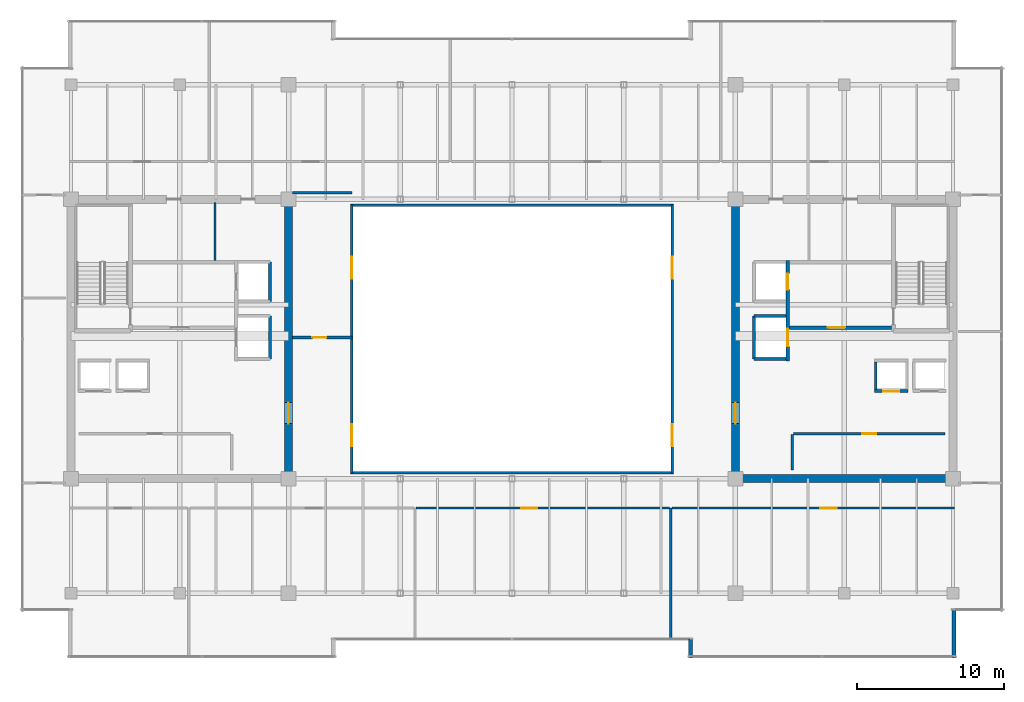
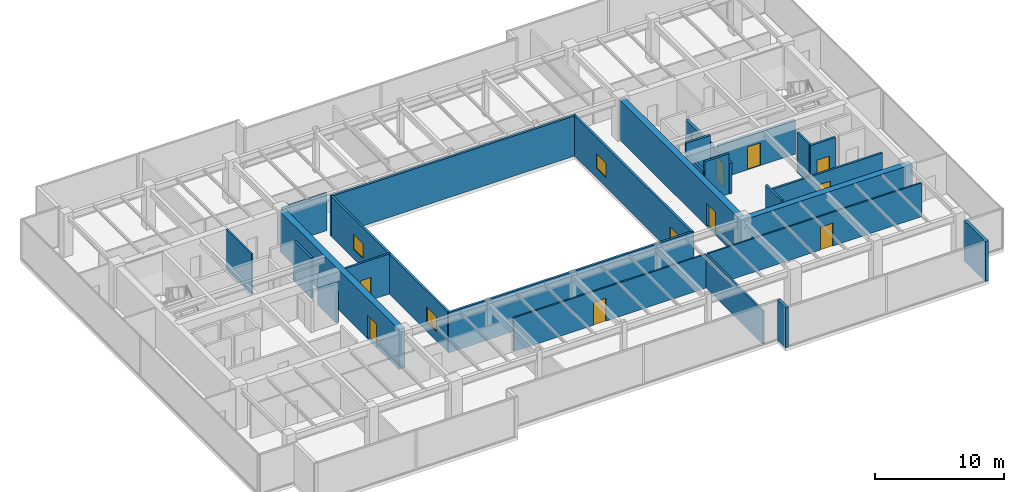
# One storey, part 29 of 33: 26 walls, 10 doors, 4 windows, 14 openings.
"""IFC4 building model written with IfcOpenShell, lengths in metres."""

from ifc_helpers import new_model, si_unit, direction, frame, frame_2d, origin, place, context, subcontext, project, spatial, rectangle, extrude, source, transform, mapped, material, layer, layer_set, type_object, type_shapes, element, fill, save


model = new_model("IFC4")

# Units and contexts
model_context = context("Model", 3, precision=1e-05, world=origin(), true_north=direction((0.0, 1.0)))
body_context = subcontext(model_context, "Body", "Model", "MODEL_VIEW")
ifc_project = project(units=[si_unit("LENGTHUNIT", "METRE"), si_unit("AREAUNIT", "SQUARE_METRE"), si_unit("VOLUMEUNIT", "CUBIC_METRE"), si_unit("PLANEANGLEUNIT", "RADIAN"), si_unit("MASSUNIT", "GRAM", prefix="KILO")], contexts=[model_context])

# Site, building, storey
site_placement = place(None, origin())
site = spatial("IfcSite", under=ifc_project, at=site_placement, CompositionType="ELEMENT")
building_placement = place(site_placement, origin())
building = spatial("IfcBuilding", under=site, at=building_placement, Name="Haelvirn Gate Laboratories", CompositionType="ELEMENT")
storey_placement = place(building_placement, frame((0.0, 0.0, 250.60009765625)))
storey = spatial("IfcBuildingStorey", under=building, at=storey_placement, Name="L60", CompositionType="ELEMENT", Elevation=250.60009765625)

# Walls
ifc_material_1 = material(Name="Thermally-broken bronze aluminium rainscreen & mineral wool", Category="aluminium")
ifc_layer_1 = layer(ifc_material_1, 0.280029296875, Name="EW-TERR-280")
ifc_layer_set_1 = layer_set([ifc_layer_1], Name="Thermally-broken bronze aluminium rainscreen & mineral wool")
wall_type_1 = type_object("IfcWallType", Name="EW-TERR-280", PredefinedType="STANDARD", material=ifc_layer_set_1)
wall_1_placement = place(storey_placement, frame((49.5400390625, 3.89306640625, 0.0), z_axis=(0.0, 0.0, 1.0), x_axis=(0.0, -1.0, 0.0)))
element("IfcWall", 1, at=wall_1_placement, inside=storey, type_object=wall_type_1, Name="L60 Atrium Recess Bronze Return Wall 03", PredefinedType="STANDARD", context=body_context, shape_type="SweptSolid", body=[
    extrude(rectangle(XDim=1.29296875, YDim=0.280029296875, at=frame_2d((0.646484375, 0.0))), origin(), (0.0, 0.0, 1.0), 3.7998046875),
])
wall_2_placement = place(storey_placement, frame((67.4599609375, 2.60009765625, 0.0), z_axis=(0.0, 0.0, 1.0), x_axis=(0.0, 1.0, 0.0)))
element("IfcWall", 2, at=wall_2_placement, inside=storey, type_object=wall_type_1, Name="L60 Atrium Recess Bronze Return Wall 05", PredefinedType="STANDARD", context=body_context, shape_type="SweptSolid", body=[
    extrude(rectangle(XDim=3.287841796875, YDim=0.280029296875, at=frame_2d((1.64404296875, 0.0))), origin(), (0.0, 0.0, 1.0), 3.7998046875),
])
ifc_material_2 = material(Name="Double-layer acoustic gypsum laboratory partition", Category="gypsum")
ifc_layer_2 = layer(ifc_material_2, 0.159912109375, Name="IW-ACOUST-160")
ifc_layer_set_2 = layer_set([ifc_layer_2], Name="Double-layer acoustic gypsum laboratory partition")
wall_type_2 = type_object("IfcWallType", Name="IW-ACOUST-160", PredefinedType="PARTITIONING", material=ifc_layer_set_2)
wall_3_placement = place(storey_placement, frame((48.199951171875, 3.909912109375, 0.0), z_axis=(0.0, 0.0, 1.0), x_axis=(0.0, 1.0, 0.0)))
element("IfcWall", 3, at=wall_3_placement, inside=storey, type_object=wall_type_2, Name="L60 Interior Wall IW-L60-SDIV-03", PredefinedType="PARTITIONING", context=body_context, shape_type="SweptSolid", body=[
    extrude(rectangle(XDim=8.880126953125, YDim=0.159912109375, at=frame_2d((4.43994140625, 0.0))), origin(), (0.0, 0.0, 1.0), 3.135009765625),
])
ifc_material_3 = material(Name="Fire-rated acoustic gypsum board partition", Category="gypsum")
ifc_layer_3 = layer(ifc_material_3, 0.175048828125, Name="IW-ACOUST-180")
ifc_layer_set_3 = layer_set([ifc_layer_3], Name="Fire-rated acoustic gypsum board partition")
wall_type_3 = type_object("IfcWallType", Name="IW-ACOUST-180", PredefinedType="PARTITIONING", material=ifc_layer_set_3)
wall_4_placement = place(storey_placement, frame((22.47509765625, 34.260009765625, 0.0), z_axis=(0.0, 0.0, 1.0), x_axis=(1.0, 0.0, 0.0)))
element("IfcWall", 4, at=wall_4_placement, inside=storey, type_object=wall_type_3, Name="L60 Interior Wall IW-L60-WPOD-N", PredefinedType="PARTITIONING", context=body_context, shape_type="SweptSolid", body=[
    extrude(rectangle(XDim=4.02490234375, YDim=0.175048828125, at=frame_2d((2.012451171875, 0.0))), origin(), (0.0, 0.0, 1.0), 3.534912109375),
])

# Wall, opening, door
wall_5_placement = place(storey_placement, frame((22.47509765625, 24.39990234375, 0.0), z_axis=(0.0, 0.0, 1.0), x_axis=(1.0, 0.0, 0.0)))
wall_5 = element("IfcWall", 5, at=wall_5_placement, inside=storey, type_object=wall_type_3, Name="L60 Interior Wall IW-L60-WPOD-S", PredefinedType="PARTITIONING", context=body_context, shape_type="SweptSolid", body=[
    extrude(rectangle(XDim=4.02490234375, YDim=0.175048828125, at=frame_2d((2.012451171875, 0.0))), origin(), (0.0, 0.0, 1.0), 3.7998046875),
])
opening_1_placement = place(wall_5_placement, frame((1.35009765625, 0.0, 0.0)))
opening_1 = element("IfcOpeningElement", 6, at=opening_1_placement, cuts=wall_5, Name="Opening FD4", PredefinedType="OPENING", context=body_context, shape_type="SweptSolid", body=[
    extrude(rectangle(XDim=0.949951171875, YDim=2.14990234375, at=frame_2d((0.47509765625, 1.074951171875))), frame((0.0, 0.09765625, 0.0), z_axis=(0.0, -1.0, 0.0), x_axis=(1.0, 0.0, 0.0)), (0.0, 0.0, 1.0), 0.195068359375),
])
ifc_material_4 = material(Name="Fire-rated steel SM355 core service door", Category="steel")
door_type_1 = type_object("IfcDoorType", Name="DR-FD-950", OperationType="NOTDEFINED", PredefinedType="DOOR", material=ifc_material_4)
shared_shape_1 = source(origin(), body_context, "Body", "SweptSolid", [
    extrude(rectangle(XDim=0.949951171875, YDim=2.14990234375, at=frame_2d((0.47509765625, 1.074951171875))), frame((0.0, 0.02490234375, 0.0), z_axis=(0.0, -1.0, 0.0), x_axis=(1.0, 0.0, 0.0)), (0.0, 0.0, 1.0), 0.050048828125),
])
type_shapes(door_type_1, [shared_shape_1])
door_1_placement = place(opening_1_placement, origin())
door_1 = element("IfcDoor", 7, at=door_1_placement, inside=storey, type_object=door_type_1, Name="L60 High-Zone Computational Suite Door", OperationType="SINGLE_SWING_RIGHT", OverallHeight=2.14990234375, OverallWidth=0.949951171875, PredefinedType="DOOR", context=body_context, shape_type="MappedRepresentation", body=[
    mapped(shared_shape_1, transform((0.0, 0.0, 0.0), scale=1.0)),
])
fill(opening_1, door_1)

# Wall, openings, windows
ifc_material_5 = material(Name="Tempered fire-rated borosilicate glass & anodised aluminium", Category="aluminium")
ifc_layer_4 = layer(ifc_material_5, 0.195068359375, Name="IW-GLAZ-200")
ifc_layer_set_4 = layer_set([ifc_layer_4], Name="Tempered fire-rated borosilicate glass & anodised aluminium")
wall_type_4 = type_object("IfcWallType", Name="IW-GLAZ-200", PredefinedType="SOLIDWALL", material=ifc_layer_set_4)
wall_6_placement = place(storey_placement, frame((26.5, 15.199951171875, 0.0), z_axis=(0.0, 0.0, 1.0), x_axis=(0.0, 1.0, 0.0)))
wall_6 = element("IfcWall", 8, at=wall_6_placement, inside=storey, type_object=wall_type_4, Name="L60 Interior Wall IW-L60-ATRIUM-W", PredefinedType="SOLIDWALL", context=body_context, shape_type="SweptSolid", body=[
    extrude(rectangle(XDim=18.199951171875, YDim=0.195068359375, at=frame_2d((9.10009765625, 0.0))), origin(), (0.0, 0.0, 1.0), 3.7998046875),
])
opening_2_placement = place(wall_6_placement, frame((1.800048828125, 0.0, 0.89990234375)))
opening_2 = element("IfcOpeningElement", 9, at=opening_2_placement, cuts=wall_6, Name="Opening W5", PredefinedType="OPENING", context=body_context, shape_type="SweptSolid", body=[
    extrude(rectangle(XDim=1.5, YDim=1.39990234375, at=frame_2d((0.75, 0.699951171875))), frame((0.0, 0.107421875, 0.0), z_axis=(0.0, -1.0, 0.0), x_axis=(1.0, 0.0, 0.0)), (0.0, 0.0, 1.0), 0.215087890625),
])
opening_3_placement = place(wall_6_placement, frame((13.199951171875, 0.0, 0.89990234375)))
opening_3 = element("IfcOpeningElement", 10, at=opening_3_placement, cuts=wall_6, Name="Opening W5", PredefinedType="OPENING", context=body_context, shape_type="SweptSolid", body=[
    extrude(rectangle(XDim=1.5, YDim=1.39990234375, at=frame_2d((0.75, 0.699951171875))), frame((0.0, 0.107421875, 0.0), z_axis=(0.0, -1.0, 0.0), x_axis=(1.0, 0.0, 0.0)), (0.0, 0.0, 1.0), 0.215087890625),
])
ifc_material_6 = material(Name="Fire-rated EI 120 borosilicate atrium vision glazing", Category="glass")
window_type = type_object("IfcWindowType", Name="WN-ATR-1500", PartitioningType="SINGLE_PANEL", PredefinedType="WINDOW", material=ifc_material_6)
shared_shape_2 = source(origin(), body_context, "Body", "SweptSolid", [
    extrude(rectangle(XDim=1.5, YDim=1.39990234375, at=frame_2d((0.75, 0.699951171875))), frame((0.0, 0.030029296875, 0.0), z_axis=(0.0, -1.0, 0.0), x_axis=(1.0, 0.0, 0.0)), (0.0, 0.0, 1.0), 0.06005859375),
])
type_shapes(window_type, [shared_shape_2])
window_1_placement = place(opening_2_placement, origin())
window_1 = element("IfcWindow", 11, at=window_1_placement, inside=storey, type_object=window_type, Name="L60 Atrium Observation Window 1", OverallHeight=1.39990234375, OverallWidth=1.5, PartitioningType="SINGLE_PANEL", PredefinedType="WINDOW", context=body_context, shape_type="MappedRepresentation", body=[
    mapped(shared_shape_2, transform((0.0, 0.0, 0.0), scale=1.0)),
])
fill(opening_2, window_1)
window_2_placement = place(opening_3_placement, origin())
window_2 = element("IfcWindow", 12, at=window_2_placement, inside=storey, type_object=window_type, Name="L60 Atrium Observation Window 2", OverallHeight=1.39990234375, OverallWidth=1.5, PartitioningType="SINGLE_PANEL", PredefinedType="WINDOW", context=body_context, shape_type="MappedRepresentation", body=[
    mapped(shared_shape_2, transform((0.0, 0.0, 0.0), scale=1.0)),
])
fill(opening_3, window_2)

wall_7_placement = place(storey_placement, frame((48.300048828125, 15.199951171875, 0.0), z_axis=(0.0, 0.0, 1.0), x_axis=(0.0, 1.0, 0.0)))
wall_7 = element("IfcWall", 13, at=wall_7_placement, inside=storey, type_object=wall_type_4, Name="L60 Interior Wall IW-L60-ATRIUM-E", PredefinedType="SOLIDWALL", context=body_context, shape_type="SweptSolid", body=[
    extrude(rectangle(XDim=18.199951171875, YDim=0.195068359375, at=frame_2d((9.10009765625, 0.0))), origin(), (0.0, 0.0, 1.0), 3.7998046875),
])
opening_4_placement = place(wall_7_placement, frame((1.800048828125, 0.0, 0.89990234375)))
opening_4 = element("IfcOpeningElement", 14, at=opening_4_placement, cuts=wall_7, Name="Opening W5", PredefinedType="OPENING", context=body_context, shape_type="SweptSolid", body=[
    extrude(rectangle(XDim=1.5, YDim=1.39990234375, at=frame_2d((0.75, 0.699951171875))), frame((0.0, 0.107421875, 0.0), z_axis=(0.0, -1.0, 0.0), x_axis=(1.0, 0.0, 0.0)), (0.0, 0.0, 1.0), 0.215087890625),
])
opening_5_placement = place(wall_7_placement, frame((13.199951171875, 0.0, 0.89990234375)))
opening_5 = element("IfcOpeningElement", 15, at=opening_5_placement, cuts=wall_7, Name="Opening W5", PredefinedType="OPENING", context=body_context, shape_type="SweptSolid", body=[
    extrude(rectangle(XDim=1.5, YDim=1.39990234375, at=frame_2d((0.75, 0.699951171875))), frame((0.0, 0.107421875, 0.0), z_axis=(0.0, -1.0, 0.0), x_axis=(1.0, 0.0, 0.0)), (0.0, 0.0, 1.0), 0.215087890625),
])
window_3_placement = place(opening_4_placement, origin())
window_3 = element("IfcWindow", 16, at=window_3_placement, inside=storey, type_object=window_type, Name="L60 Atrium Observation Window 1", OverallHeight=1.39990234375, OverallWidth=1.5, PartitioningType="SINGLE_PANEL", PredefinedType="WINDOW", context=body_context, shape_type="MappedRepresentation", body=[
    mapped(shared_shape_2, transform((0.0, 0.0, 0.0), scale=1.0)),
])
fill(opening_4, window_3)
window_4_placement = place(opening_5_placement, origin())
window_4 = element("IfcWindow", 17, at=window_4_placement, inside=storey, type_object=window_type, Name="L60 Atrium Observation Window 2", OverallHeight=1.39990234375, OverallWidth=1.5, PartitioningType="SINGLE_PANEL", PredefinedType="WINDOW", context=body_context, shape_type="MappedRepresentation", body=[
    mapped(shared_shape_2, transform((0.0, 0.0, 0.0), scale=1.0)),
])
fill(opening_5, window_4)

# Walls
for number, where, z_axis, x_axis, name in (
    (18, (26.39990234375, 15.199951171875, 0.0), (0.0, 0.0, 1.0), (1.0, 0.0, 0.0), "L60 Interior Wall IW-L60-ATRIUM-S"),
    (19, (26.39990234375, 33.39990234375, 0.0), (0.0, 0.0, 1.0), (1.0, 0.0, 0.0), "L60 Interior Wall IW-L60-ATRIUM-N"),
):
    element("IfcWall", number, at=place(storey_placement, frame(where, z_axis=z_axis, x_axis=x_axis)), inside=storey, type_object=wall_type_4, Name=name, PredefinedType="SOLIDWALL", context=body_context, shape_type="SweptSolid", body=[
        extrude(rectangle(XDim=22.0, YDim=0.195068359375, at=frame_2d((11.0, 0.0))), origin(), (0.0, 0.0, 1.0), 3.7998046875),
    ])

# Wall, opening, door
ifc_material_7 = material(Name="Acoustic mineral-wool gypsum board partition", Category="gypsum")
ifc_layer_5 = layer(ifc_material_7, 0.139892578125, Name="IW-PART-140")
ifc_layer_set_5 = layer_set([ifc_layer_5], Name="Acoustic mineral-wool gypsum board partition")
wall_type_5 = type_object("IfcWallType", Name="IW-PART-140", PredefinedType="PARTITIONING", material=ifc_layer_set_5)
wall_8_placement = place(storey_placement, frame((30.8798828125, 12.7900390625, 0.0), z_axis=(0.0, 0.0, 1.0), x_axis=(1.0, 0.0, 0.0)))
wall_8 = element("IfcWall", 20, at=wall_8_placement, inside=storey, type_object=wall_type_5, Name="L60 Interior Wall IW-L60-SCORR-03", PredefinedType="PARTITIONING", context=body_context, shape_type="SweptSolid", body=[
    extrude(rectangle(XDim=17.240234375, YDim=0.139892578125, at=frame_2d((8.6201171875, 0.0))), origin(), (0.0, 0.0, 1.0), 3.197021484375),
])
opening_6_placement = place(wall_8_placement, frame((7.1435546875, 0.0, 0.0)))
opening_6 = element("IfcOpeningElement", 21, at=opening_6_placement, cuts=wall_8, Name="Opening D1", PredefinedType="OPENING", context=body_context, shape_type="SweptSolid", body=[
    extrude(rectangle(XDim=1.10009765625, YDim=2.179931640625, at=frame_2d((0.550048828125, 1.08984375))), frame((0.0, 0.080078125, 0.0), z_axis=(0.0, -1.0, 0.0), x_axis=(1.0, 0.0, 0.0)), (0.0, 0.0, 1.0), 0.159912109375),
])
ifc_material_8 = material(Name="Vision-panel acoustic solid-core timber lab door", Category="wood")
door_type_2 = type_object("IfcDoorType", Name="DR-LAB-1100", OperationType="NOTDEFINED", PredefinedType="DOOR", material=ifc_material_8)
shared_shape_3 = source(origin(), body_context, "Body", "SweptSolid", [
    extrude(rectangle(XDim=1.10009765625, YDim=2.179931640625, at=frame_2d((0.550048828125, 1.08984375))), frame((0.0, 0.02490234375, 0.0), z_axis=(0.0, -1.0, 0.0), x_axis=(1.0, 0.0, 0.0)), (0.0, 0.0, 1.0), 0.050048828125),
])
type_shapes(door_type_2, [shared_shape_3])
door_2_placement = place(opening_6_placement, origin())
door_2 = element("IfcDoor", 22, at=door_2_placement, inside=storey, type_object=door_type_2, Name="L60 Bioinformatics Dry-Lab Workspace Door S3", OperationType="SINGLE_SWING_LEFT", OverallHeight=2.179931640625, OverallWidth=1.10009765625, PredefinedType="DOOR", context=body_context, shape_type="MappedRepresentation", body=[
    mapped(shared_shape_3, transform((0.0, 0.0, 0.0), scale=1.0)),
])
fill(opening_6, door_2)

wall_9_placement = place(storey_placement, frame((48.280029296875, 12.7900390625, 0.0), z_axis=(0.0, 0.0, 1.0), x_axis=(1.0, 0.0, 0.0)))
wall_9 = element("IfcWall", 23, at=wall_9_placement, inside=storey, type_object=wall_type_5, Name="L60 Interior Wall IW-L60-SCORR-04", PredefinedType="PARTITIONING", context=body_context, shape_type="SweptSolid", body=[
    extrude(rectangle(XDim=19.2099609375, YDim=0.139892578125, at=frame_2d((9.60498046875, 0.0))), origin(), (0.0, 0.0, 1.0), 3.197021484375),
])
opening_7_placement = place(wall_9_placement, frame((10.099609375, 0.0, 0.0)))
opening_7 = element("IfcOpeningElement", 24, at=opening_7_placement, cuts=wall_9, Name="Opening D1", PredefinedType="OPENING", context=body_context, shape_type="SweptSolid", body=[
    extrude(rectangle(XDim=1.10009765625, YDim=2.179931640625, at=frame_2d((0.550048828125, 1.08984375))), frame((0.0, 0.080078125, 0.0), z_axis=(0.0, -1.0, 0.0), x_axis=(1.0, 0.0, 0.0)), (0.0, 0.0, 1.0), 0.159912109375),
])
door_3_placement = place(opening_7_placement, origin())
door_3 = element("IfcDoor", 25, at=door_3_placement, inside=storey, type_object=door_type_2, Name="L60 Translational Data Office Door S4", OperationType="SINGLE_SWING_RIGHT", OverallHeight=2.179931640625, OverallWidth=1.10009765625, PredefinedType="DOOR", context=body_context, shape_type="MappedRepresentation", body=[
    mapped(shared_shape_3, transform((0.0, 0.0, 0.0), scale=1.0)),
])
fill(opening_7, door_3)

# Walls
ifc_material_9 = material(Name="Cement-board restroom plumbing chase wall", Category="gypsum")
ifc_layer_6 = layer(ifc_material_9, 0.155029296875, Name="IW-PLUMB-160")
ifc_layer_set_6 = layer_set([ifc_layer_6], Name="Cement-board restroom plumbing chase wall")
wall_type_6 = type_object("IfcWallType", Name="IW-PLUMB-160", PredefinedType="PLUMBINGWALL", material=ifc_layer_set_6)
wall_10_placement = place(storey_placement, frame((17.18994140625, 29.64990234375, 0.0), z_axis=(0.0, 0.0, 1.0), x_axis=(0.0, 1.0, 0.0)))
element("IfcWall", 26, at=wall_10_placement, inside=storey, type_object=wall_type_6, Name="L60 Interior Wall IW-L60-W-CDIV-1", PredefinedType="PLUMBINGWALL", context=body_context, shape_type="SweptSolid", body=[
    extrude(rectangle(XDim=3.93017578125, YDim=0.155029296875, at=frame_2d((1.965087890625, 0.0))), origin(), (0.0, 0.0, 1.0), 3.7998046875),
])
ifc_material_10 = material(Name="Concrete C40/50", Category="concrete")
ifc_layer_7 = layer(ifc_material_10, 0.179931640625, Name="IW-SHAFT-180")
ifc_layer_set_7 = layer_set([ifc_layer_7], Name="Concrete C40/50")
wall_type_7 = type_object("IfcWallType", Name="IW-SHAFT-180", PredefinedType="SOLIDWALL", material=ifc_layer_set_7)
wall_11_placement = place(storey_placement, frame((62.14990234375, 20.85009765625, 0.0), z_axis=(0.0, 0.0, 1.0), x_axis=(0.0, 1.0, 0.0)))
element("IfcWall", 27, at=wall_11_placement, inside=storey, type_object=wall_type_7, Name="L60 Interior Wall IW-L60-PL12-SD", PredefinedType="SOLIDWALL", context=body_context, shape_type="SweptSolid", body=[
    extrude(rectangle(XDim=1.89990234375, YDim=0.179931640625, at=frame_2d((0.949951171875, 0.0))), origin(), (0.0, 0.0, 1.0), 3.7998046875),
])

# Wall, opening, door
wall_12_placement = place(storey_placement, frame((56.550048828125, 17.85009765625, 0.0), z_axis=(0.0, 0.0, 1.0), x_axis=(1.0, 0.0, 0.0)))
wall_12 = element("IfcWall", 28, at=wall_12_placement, inside=storey, type_object=wall_type_7, Name="L60 Interior Wall IW-L60-E-FREED-HN-1", PredefinedType="SOLIDWALL", context=body_context, shape_type="SweptSolid", body=[
    extrude(rectangle(XDim=10.300048828125, YDim=0.179931640625, at=frame_2d((5.14990234375, 0.0))), origin(), (0.0, 0.0, 1.0), 3.197021484375),
])
opening_8_placement = place(wall_12_placement, frame((4.675048828125, 0.0, 0.0)))
opening_8 = element("IfcOpeningElement", 29, at=opening_8_placement, cuts=wall_12, Name="Opening FD4", PredefinedType="OPENING", context=body_context, shape_type="SweptSolid", body=[
    extrude(rectangle(XDim=0.949951171875, YDim=2.14990234375, at=frame_2d((0.47509765625, 1.074951171875))), frame((0.0, 0.10009765625, 0.0), z_axis=(0.0, -1.0, 0.0), x_axis=(1.0, 0.0, 0.0)), (0.0, 0.0, 1.0), 0.199951171875),
])
door_4_placement = place(opening_8_placement, origin())
door_4 = element("IfcDoor", 30, at=door_4_placement, inside=storey, type_object=door_type_1, Name="L60 High-Zone Cryogenic Biobank Vault Door", OperationType="SINGLE_SWING_LEFT", OverallHeight=2.14990234375, OverallWidth=0.949951171875, PredefinedType="DOOR", context=body_context, shape_type="MappedRepresentation", body=[
    mapped(shared_shape_1, transform((0.0, 0.0, 0.0), scale=1.0)),
])
fill(opening_8, door_4)

# Walls
wall_13_placement = place(storey_placement, frame((56.4599609375, 15.39990234375, 0.0), z_axis=(0.0, 0.0, 1.0), x_axis=(0.0, 1.0, 0.0)))
element("IfcWall", 31, at=wall_13_placement, inside=storey, type_object=wall_type_7, Name="L60 Interior Wall IW-L60-E-FREED-HE-1", PredefinedType="SOLIDWALL", context=body_context, shape_type="SweptSolid", body=[
    extrude(rectangle(XDim=2.400146484375, YDim=0.179931640625, at=frame_2d((1.2001953125, 0.0))), origin(), (0.0, 0.0, 1.0), 3.7998046875),
])
ifc_layer_8 = layer(ifc_material_10, 0.199951171875, Name="IW-SHAFT-200")
ifc_layer_set_8 = layer_set([ifc_layer_8], Name="Concrete C40/50")
wall_type_8 = type_object("IfcWallType", Name="IW-SHAFT-200", PredefinedType="SOLIDWALL", material=ifc_layer_set_8)
wall_14_placement = place(storey_placement, frame((20.949951171875, 26.85009765625, 0.0), z_axis=(0.0, 0.0, 1.0), x_axis=(0.0, 1.0, 0.0)))
element("IfcWall", 32, at=wall_14_placement, inside=storey, type_object=wall_type_8, Name="L60 Interior Wall IW-L60-FL1-BK", PredefinedType="SOLIDWALL", context=body_context, shape_type="SweptSolid", body=[
    extrude(rectangle(XDim=2.699951171875, YDim=0.199951171875, at=frame_2d((1.35009765625, 0.0))), origin(), (0.0, 0.0, 1.0), 3.7998046875),
])
wall_15_placement = place(storey_placement, frame((20.949951171875, 22.949951171875, 0.0), z_axis=(0.0, 0.0, 1.0), x_axis=(0.0, 1.0, 0.0)))
element("IfcWall", 33, at=wall_15_placement, inside=storey, type_object=wall_type_8, Name="L60 Interior Wall IW-L60-SL1-BK", PredefinedType="SOLIDWALL", context=body_context, shape_type="SweptSolid", body=[
    extrude(rectangle(XDim=2.900146484375, YDim=0.199951171875, at=frame_2d((1.4501953125, 0.0))), origin(), (0.0, 0.0, 1.0), 2.934814453125),
])

# Wall, opening, door
wall_16_placement = place(storey_placement, frame((62.070068359375, 20.75, 0.0), z_axis=(0.0, 0.0, 1.0), x_axis=(1.0, 0.0, 0.0)))
wall_16 = element("IfcWall", 34, at=wall_16_placement, inside=storey, type_object=wall_type_8, Name="L60 Interior Wall IW-L60-PL12-FR", PredefinedType="SOLIDWALL", context=body_context, shape_type="SweptSolid", body=[
    extrude(rectangle(XDim=2.260009765625, YDim=0.199951171875, at=frame_2d((1.1298828125, 0.0))), origin(), (0.0, 0.0, 1.0), 3.7998046875),
])
opening_9_placement = place(wall_16_placement, frame((0.580078125, 0.0, 0.0)))
opening_9 = element("IfcOpeningElement", 35, at=opening_9_placement, cuts=wall_16, Name="Opening LD2", PredefinedType="OPENING", context=body_context, shape_type="SweptSolid", body=[
    extrude(rectangle(XDim=1.10009765625, YDim=2.219970703125, at=frame_2d((0.550048828125, 1.10986328125))), frame((0.0, 0.10986328125, 0.0), z_axis=(0.0, -1.0, 0.0), x_axis=(1.0, 0.0, 0.0)), (0.0, 0.0, 1.0), 0.219970703125),
])
ifc_material_11 = material(Name="Bronze stainless 316L sliding lift landing door")
door_type_3 = type_object("IfcDoorType", Name="DR-LD-1100", OperationType="NOTDEFINED", PredefinedType="USERDEFINED", material=ifc_material_11)
shared_shape_4 = source(origin(), body_context, "Body", "SweptSolid", [
    extrude(rectangle(XDim=1.10009765625, YDim=2.219970703125, at=frame_2d((0.550048828125, 1.10986328125))), frame((0.0, 0.02490234375, 0.0), z_axis=(0.0, -1.0, 0.0), x_axis=(1.0, 0.0, 0.0)), (0.0, 0.0, 1.0), 0.050048828125),
])
type_shapes(door_type_3, [shared_shape_4])
door_5_placement = place(opening_9_placement, origin())
door_5 = element("IfcDoor", 36, at=door_5_placement, inside=storey, type_object=door_type_3, Name="L60 Passenger Lift PL12 Landing Door", ObjectType="LANDING_DOOR", OperationType="SLIDING_TO_RIGHT", OverallHeight=2.219970703125, OverallWidth=1.10009765625, PredefinedType="USERDEFINED", context=body_context, shape_type="MappedRepresentation", body=[
    mapped(shared_shape_4, transform((0.0, 0.0, 0.0), scale=1.0)),
])
fill(opening_9, door_5)

# Walls
wall_17_placement = place(storey_placement, frame((53.85009765625, 22.949951171875, 0.0), z_axis=(0.0, 0.0, 1.0), x_axis=(0.0, 1.0, 0.0)))
element("IfcWall", 37, at=wall_17_placement, inside=storey, type_object=wall_type_8, Name="L60 Interior Wall IW-L60-SL2-BK", PredefinedType="SOLIDWALL", context=body_context, shape_type="SweptSolid", body=[
    extrude(rectangle(XDim=2.900146484375, YDim=0.199951171875, at=frame_2d((1.4501953125, 0.0))), origin(), (0.0, 0.0, 1.0), 2.934814453125),
])
for number, where, z_axis, x_axis, name in (
    (38, (53.85009765625, 25.85009765625, 0.0), (0.0, 0.0, 1.0), (1.0, 0.0, 0.0), "L60 Interior Wall IW-L60-SL2-N"),
    (39, (53.85009765625, 22.949951171875, 0.0), (0.0, 0.0, 1.0), (1.0, 0.0, 0.0), "L60 Interior Wall IW-L60-SL2-S"),
):
    element("IfcWall", number, at=place(storey_placement, frame(where, z_axis=z_axis, x_axis=x_axis)), inside=storey, type_object=wall_type_8, Name=name, PredefinedType="SOLIDWALL", context=body_context, shape_type="SweptSolid", body=[
        extrude(rectangle(XDim=2.18994140625, YDim=0.199951171875, at=frame_2d((1.094970703125, 0.0))), origin(), (0.0, 0.0, 1.0), 3.7998046875),
    ])

# Wall, opening, door
ifc_layer_9 = layer(ifc_material_10, 0.239990234375, Name="IW-SHAFT-240")
ifc_layer_set_9 = layer_set([ifc_layer_9], Name="Concrete C40/50")
wall_type_9 = type_object("IfcWallType", Name="IW-SHAFT-240", PredefinedType="SOLIDWALL", material=ifc_layer_set_9)
wall_18_placement = place(storey_placement, frame((56.280029296875, 25.080078125, 0.0), z_axis=(0.0, 0.0, 1.0), x_axis=(1.0, 0.0, 0.0)))
wall_18 = element("IfcWall", 40, at=wall_18_placement, inside=storey, type_object=wall_type_9, Name="L60 Interior Wall IW-L60-E-FF-S", PredefinedType="SOLIDWALL", context=body_context, shape_type="SweptSolid", body=[
    extrude(rectangle(XDim=6.919921875, YDim=0.239990234375, at=frame_2d((3.4599609375, 0.0))), origin(), (0.0, 0.0, 1.0), 3.197021484375),
])
opening_10_placement = place(wall_18_placement, frame((2.60009765625, 0.0, 0.0)))
opening_10 = element("IfcOpeningElement", 41, at=opening_10_placement, cuts=wall_18, Name="Opening FD2", PredefinedType="OPENING", context=body_context, shape_type="SweptSolid", body=[
    extrude(rectangle(XDim=1.199951171875, YDim=2.159912109375, at=frame_2d((0.60009765625, 1.080078125))), frame((0.0, 0.1298828125, 0.0), z_axis=(0.0, -1.0, 0.0), x_axis=(1.0, 0.0, 0.0)), (0.0, 0.0, 1.0), 0.260009765625),
])
ifc_material_12 = material(Name="Fire-rated steel SM355 compartment door", Category="steel")
door_type_4 = type_object("IfcDoorType", Name="DR-FD-1200", OperationType="NOTDEFINED", PredefinedType="DOOR", material=ifc_material_12)
shared_shape_5 = source(origin(), body_context, "Body", "SweptSolid", [
    extrude(rectangle(XDim=1.199951171875, YDim=2.159912109375, at=frame_2d((0.60009765625, 1.080078125))), frame((0.0, 0.02490234375, 0.0), z_axis=(0.0, -1.0, 0.0), x_axis=(1.0, 0.0, 0.0)), (0.0, 0.0, 1.0), 0.050048828125),
])
type_shapes(door_type_4, [shared_shape_5])
door_6_placement = place(opening_10_placement, origin())
door_6 = element("IfcDoor", 42, at=door_6_placement, inside=storey, type_object=door_type_4, Name="L60 East Firefighting Lobby Door", OperationType="SINGLE_SWING_LEFT", OverallHeight=2.159912109375, OverallWidth=1.199951171875, PredefinedType="DOOR", context=body_context, shape_type="MappedRepresentation", body=[
    mapped(shared_shape_5, transform((0.0, 0.0, 0.0), scale=1.0)),
])
fill(opening_10, door_6)

# Wall, openings, doors
wall_19_placement = place(storey_placement, frame((56.159912109375, 22.800048828125, 0.0), z_axis=(0.0, 0.0, 1.0), x_axis=(0.0, 1.0, 0.0)))
wall_19 = element("IfcWall", 43, at=wall_19_placement, inside=storey, type_object=wall_type_9, Name="L60 Interior Wall IW-L60-E-FF-E", PredefinedType="SOLIDWALL", context=body_context, shape_type="SweptSolid", body=[
    extrude(rectangle(XDim=6.849853515625, YDim=0.239990234375, at=frame_2d((3.4248046875, 0.0))), origin(), (0.0, 0.0, 1.0), 2.934814453125),
])
opening_11_placement = place(wall_19_placement, frame((4.85009765625, 0.0, 0.0)))
opening_11 = element("IfcOpeningElement", 44, at=opening_11_placement, cuts=wall_19, Name="Opening LD2", PredefinedType="OPENING", context=body_context, shape_type="SweptSolid", body=[
    extrude(rectangle(XDim=1.10009765625, YDim=2.219970703125, at=frame_2d((0.550048828125, 1.10986328125))), frame((0.0, 0.1298828125, 0.0), z_axis=(0.0, -1.0, 0.0), x_axis=(1.0, 0.0, 0.0)), (0.0, 0.0, 1.0), 0.260009765625),
])
opening_12_placement = place(wall_19_placement, frame((1.0, 0.0, 0.0)))
opening_12 = element("IfcOpeningElement", 45, at=opening_12_placement, cuts=wall_19, Name="Opening LD1", PredefinedType="OPENING", context=body_context, shape_type="SweptSolid", body=[
    extrude(rectangle(XDim=1.199951171875, YDim=2.219970703125, at=frame_2d((0.60009765625, 1.10986328125))), frame((0.0, 0.1298828125, 0.0), z_axis=(0.0, -1.0, 0.0), x_axis=(1.0, 0.0, 0.0)), (0.0, 0.0, 1.0), 0.260009765625),
])
door_7_placement = place(opening_11_placement, origin())
door_7 = element("IfcDoor", 46, at=door_7_placement, inside=storey, type_object=door_type_3, Name="L60 Firefighting Lift FL2 Landing Door", ObjectType="LANDING_DOOR", OperationType="SLIDING_TO_RIGHT", OverallHeight=2.219970703125, OverallWidth=1.10009765625, PredefinedType="USERDEFINED", context=body_context, shape_type="MappedRepresentation", body=[
    mapped(shared_shape_4, transform((0.0, 0.0, 0.0), scale=1.0)),
])
fill(opening_11, door_7)
ifc_material_13 = material(Name="Stainless steel 316L sliding goods landing door", Category="steel")
door_type_5 = type_object("IfcDoorType", Name="DR-LD-1200", OperationType="NOTDEFINED", PredefinedType="USERDEFINED", material=ifc_material_13)
shared_shape_6 = source(origin(), body_context, "Body", "SweptSolid", [
    extrude(rectangle(XDim=1.199951171875, YDim=2.219970703125, at=frame_2d((0.60009765625, 1.10986328125))), frame((0.0, 0.02490234375, 0.0), z_axis=(0.0, -1.0, 0.0), x_axis=(1.0, 0.0, 0.0)), (0.0, 0.0, 1.0), 0.050048828125),
])
type_shapes(door_type_5, [shared_shape_6])
door_8_placement = place(opening_12_placement, origin())
door_8 = element("IfcDoor", 47, at=door_8_placement, inside=storey, type_object=door_type_5, Name="L60 Service Lift SL2 Landing Door", ObjectType="LANDING_DOOR", OperationType="SLIDING_TO_LEFT", OverallHeight=2.219970703125, OverallWidth=1.199951171875, PredefinedType="USERDEFINED", context=body_context, shape_type="MappedRepresentation", body=[
    mapped(shared_shape_6, transform((0.0, 0.0, 0.0), scale=1.0)),
])
fill(opening_12, door_8)

# Wall, opening, door
ifc_material_14 = material(Name="Concrete C50/60", Category="concrete")
ifc_layer_10 = layer(ifc_material_14, 0.550048828125, Name="SW-CORE-550")
ifc_layer_set_10 = layer_set([ifc_layer_10], Name="Concrete C50/60")
wall_type_10 = type_object("IfcWallType", Name="SW-CORE-550", PredefinedType="SHEAR", material=ifc_layer_set_10)
wall_20_placement = place(storey_placement, frame((22.199951171875, 15.074951171875, 0.0), z_axis=(0.0, 0.0, 1.0), x_axis=(0.0, 1.0, 0.0)))
wall_20 = element("IfcWall", 48, at=wall_20_placement, inside=storey, type_object=wall_type_10, Name="L60 W Core Shear Wall E", PredefinedType="SHEAR", context=body_context, shape_type="SweptSolid", body=[
    extrude(rectangle(XDim=18.449951171875, YDim=0.550048828125, at=frame_2d((9.22509765625, 0.0))), origin(), (0.0, 0.0, 1.0), 3.7998046875),
])
opening_13_placement = place(wall_20_placement, frame((3.47509765625, 0.0, 0.0)))
opening_13 = element("IfcOpeningElement", 49, at=opening_13_placement, cuts=wall_20, Name="Opening FD1", PredefinedType="OPENING", context=body_context, shape_type="SweptSolid", body=[
    extrude(rectangle(XDim=1.419921875, YDim=2.199951171875, at=frame_2d((0.7099609375, 1.10009765625))), frame((0.0, 0.28515625, 0.0), z_axis=(0.0, -1.0, 0.0), x_axis=(1.0, 0.0, 0.0)), (0.0, 0.0, 1.0), 0.570068359375),
])
ifc_material_15 = material(Name="Fire-rated double steel SM355 lobby door", Category="steel")
door_type_6 = type_object("IfcDoorType", Name="DR-FD-1400", OperationType="NOTDEFINED", PredefinedType="DOOR", material=ifc_material_15)
shared_shape_7 = source(origin(), body_context, "Body", "SweptSolid", [
    extrude(rectangle(XDim=1.419921875, YDim=2.199951171875, at=frame_2d((0.7099609375, 1.10009765625))), frame((0.0, 0.02490234375, 0.0), z_axis=(0.0, -1.0, 0.0), x_axis=(1.0, 0.0, 0.0)), (0.0, 0.0, 1.0), 0.050048828125),
])
type_shapes(door_type_6, [shared_shape_7])
door_9_placement = place(opening_13_placement, origin())
door_9 = element("IfcDoor", 50, at=door_9_placement, inside=storey, type_object=door_type_6, Name="L60 West Core Lift Lobby Fire Door", OperationType="DOUBLE_DOOR_SINGLE_SWING", OverallHeight=2.199951171875, OverallWidth=1.419921875, PredefinedType="DOOR", context=body_context, shape_type="MappedRepresentation", body=[
    mapped(shared_shape_7, transform((0.0, 0.0, 0.0), scale=1.0)),
])
fill(opening_13, door_9)

# Wall
wall_21_placement = place(storey_placement, frame((52.324951171875, 14.800048828125, 0.0), z_axis=(0.0, 0.0, 1.0), x_axis=(1.0, 0.0, 0.0)))
element("IfcWall", 51, at=wall_21_placement, inside=storey, type_object=wall_type_10, Name="L60 E Core Shear Wall S", PredefinedType="SHEAR", context=body_context, shape_type="SweptSolid", body=[
    extrude(rectangle(XDim=15.35009765625, YDim=0.550048828125, at=frame_2d((7.675048828125, 0.0))), origin(), (0.0, 0.0, 1.0), 3.7998046875),
])

# Wall, opening, door
wall_22_placement = place(storey_placement, frame((52.60009765625, 15.074951171875, 0.0), z_axis=(0.0, 0.0, 1.0), x_axis=(0.0, 1.0, 0.0)))
wall_22 = element("IfcWall", 52, at=wall_22_placement, inside=storey, type_object=wall_type_10, Name="L60 E Core Shear Wall W", PredefinedType="SHEAR", context=body_context, shape_type="SweptSolid", body=[
    extrude(rectangle(XDim=18.449951171875, YDim=0.550048828125, at=frame_2d((9.22509765625, 0.0))), origin(), (0.0, 0.0, 1.0), 3.7998046875),
])
opening_14_placement = place(wall_22_placement, frame((3.47509765625, 0.0, 0.0)))
opening_14 = element("IfcOpeningElement", 53, at=opening_14_placement, cuts=wall_22, Name="Opening FD1", PredefinedType="OPENING", context=body_context, shape_type="SweptSolid", body=[
    extrude(rectangle(XDim=1.419921875, YDim=2.199951171875, at=frame_2d((0.7099609375, 1.10009765625))), frame((0.0, 0.28515625, 0.0), z_axis=(0.0, -1.0, 0.0), x_axis=(1.0, 0.0, 0.0)), (0.0, 0.0, 1.0), 0.570068359375),
])
door_10_placement = place(opening_14_placement, origin())
door_10 = element("IfcDoor", 54, at=door_10_placement, inside=storey, type_object=door_type_6, Name="L60 East Core Lift Lobby Fire Door", OperationType="DOUBLE_DOOR_SINGLE_SWING", OverallHeight=2.199951171875, OverallWidth=1.419921875, PredefinedType="DOOR", context=body_context, shape_type="MappedRepresentation", body=[
    mapped(shared_shape_7, transform((0.0, 0.0, 0.0), scale=1.0)),
])
fill(opening_14, door_10)

save(model, "model.ifc")
